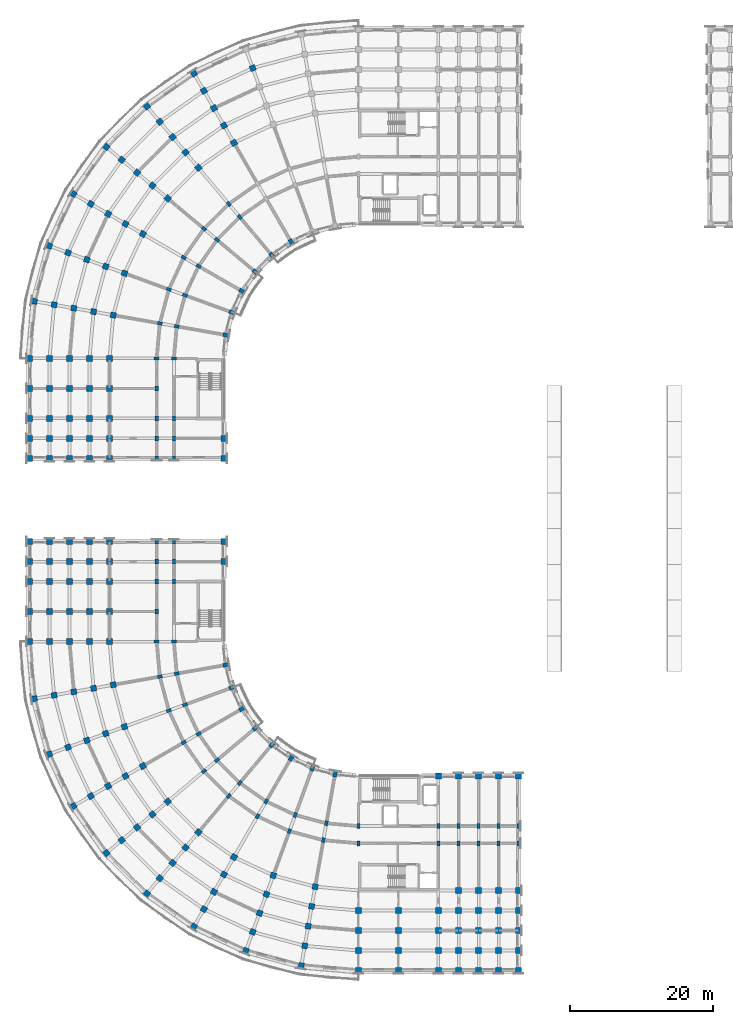
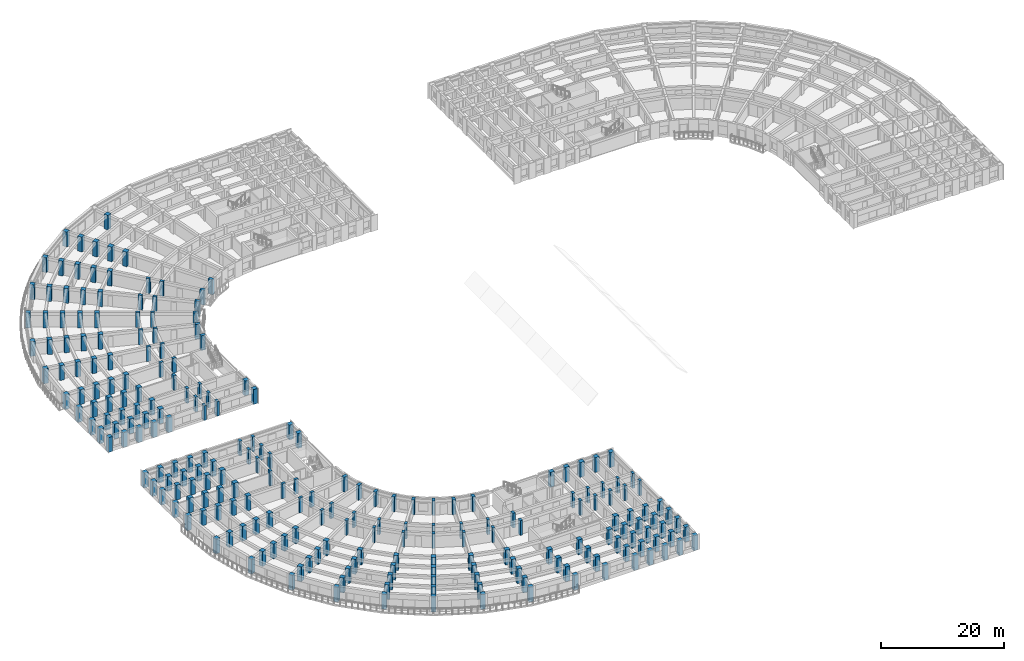
# One storey, part 1 of 54: 232 columns.
"""IFC4 building model written with IfcOpenShell, lengths in metres."""

from ifc_helpers import new_model, si_unit, direction, frame, origin, origin_2d, place, context, subcontext, project, spatial, rectangle, extrude, material, material_profile, profile_set, type_object, element, save


model = new_model("IFC4")

# Units and contexts
model_context = context("Model", 3, precision=1e-05, world=origin(), true_north=direction((0.0, 1.0)))
body_context = subcontext(model_context, "Body", "Model", "MODEL_VIEW")
ifc_project = project(units=[si_unit("LENGTHUNIT", "METRE"), si_unit("AREAUNIT", "SQUARE_METRE"), si_unit("VOLUMEUNIT", "CUBIC_METRE"), si_unit("PLANEANGLEUNIT", "RADIAN"), si_unit("MASSUNIT", "GRAM", prefix="KILO")], contexts=[model_context])

# Site, building, storey
site_placement = place(None, origin())
site = spatial("IfcSite", under=ifc_project, at=site_placement, CompositionType="ELEMENT")
building_placement = place(site_placement, origin())
building = spatial("IfcBuilding", under=site, at=building_placement, Name="Kiranvali Square Residences", CompositionType="ELEMENT")
storey_placement = place(building_placement, frame((0.0, 0.0, 11.85009765625)))
storey = spatial("IfcBuildingStorey", under=building, at=storey_placement, Name="L03", CompositionType="ELEMENT", Elevation=11.85009765625)

# Columns
ifc_material_1 = material(Name="Concrete M45 (45 MPa)", Category="concrete")
ifc_material_profile_1 = material_profile(ifc_material_1, rectangle(XDim=0.449951171875, YDim=0.699951171875, at=origin_2d()), Name="RC 700x450")
ifc_profile_set_1 = profile_set([ifc_material_profile_1], Name="Concrete M45 (45 MPa)")
column_type_1 = type_object("IfcColumnType", Name="COL-M45-700x450", PredefinedType="COLUMN", material=ifc_profile_set_1)
for number, where, z_axis, x_axis, name in (
    (1, (31.615966796875, 107.56396484375, 0.0), (0.0, 0.0, 1.0), (0.766044443119, 0.642787609687, 0.0), "Block A L03 radial column A04-R1"),
    (2, (30.073486328125, 109.40234375, 0.0), (0.0, 0.0, 1.0), (0.766044443119, 0.642787609687, 0.0), "Block A L03 radial column A04-R2"),
    (3, (28.43603515625, 104.384033203125, 0.0), (0.0, 0.0, 1.0), (0.642787609687, 0.766044443119, 0.0), "Block A L03 radial column A05-R1"),
    (4, (26.59765625, 105.926513671875, 0.0), (0.0, 0.0, 1.0), (0.642787609687, 0.766044443119, 0.0), "Block A L03 radial column A05-R2"),
    (5, (25.8564453125, 100.699951171875, 0.0), (0.0, 0.0, 1.0), (0.5, 0.866025403784, 0.0), "Block A L03 radial column A06-R1"),
    (6, (23.778076171875, 101.89990234375, 0.0), (0.0, 0.0, 1.0), (0.5, 0.866025403784, 0.0), "Block A L03 radial column A06-R2"),
    (7, (23.955810546875, 96.6240234375, 0.0), (0.0, 0.0, 1.0), (0.342020143326, 0.939692620786, 0.0), "Block A L03 radial column A07-R1"),
    (8, (21.70068359375, 97.445068359375, 0.0), (0.0, 0.0, 1.0), (0.342020143326, 0.939692620786, 0.0), "Block A L03 radial column A07-R2"),
    (9, (22.7919921875, 92.280029296875, 0.0), (0.0, 0.0, 1.0), (0.173648177667, 0.984807753012, 0.0), "Block A L03 radial column A08-R1"),
    (10, (20.428466796875, 92.69677734375, 0.0), (0.0, 0.0, 1.0), (0.173648177667, 0.984807753012, 0.0), "Block A L03 radial column A08-R2"),
    (11, (22.39990234375, 87.800048828125, 0.0), (0.0, 0.0, 1.0), (0.0, 1.0, 0.0), "Block A L03 radial column A09-R1"),
    (12, (20.0, 87.800048828125, 0.0), (0.0, 0.0, 1.0), (0.0, 1.0, 0.0), "Block A L03 radial column A09-R2"),
    (13, (20.0, 83.60009765625, 0.0), (0.0, 0.0, 1.0), (1.0, 0.0, 0.0), "Block A L03 Arm 2 mid-core column V0-R2"),
    (14, (22.39990234375, 79.39990234375, 0.0), (0.0, 0.0, 1.0), (1.0, 0.0, 0.0), "Block A L03 Arm 2 column V1-R1"),
    (15, (20.0, 79.39990234375, 0.0), (0.0, 0.0, 1.0), (1.0, 0.0, 0.0), "Block A L03 Arm 2 column V1-R2"),
    (16, (22.39990234375, 76.60009765625, 0.0), (0.0, 0.0, 1.0), (1.0, 0.0, 0.0), "Block A L03 Arm 2 column V2-R1"),
    (17, (20.0, 76.60009765625, 0.0), (0.0, 0.0, 1.0), (1.0, 0.0, 0.0), "Block A L03 Arm 2 column V2-R2"),
    (18, (22.39990234375, 73.800048828125, 0.0), (0.0, 0.0, 1.0), (1.0, 0.0, 0.0), "Block A L03 Arm 2 column V3-R1"),
    (19, (20.0, 73.800048828125, 0.0), (0.0, 0.0, 1.0), (1.0, 0.0, 0.0), "Block A L03 Arm 2 column V3-R2"),
    (20, (48.199951171875, 22.39990234375, 0.0), (0.0, 0.0, 1.0), (1.0, 0.0, 0.0), "Block C L03 radial column A00-R1"),
    (21, (48.199951171875, 20.0, 0.0), (0.0, 0.0, 1.0), (1.0, 0.0, 0.0), "Block C L03 radial column A00-R2"),
    (22, (43.719970703125, 22.7919921875, 0.0), (0.0, 0.0, 1.0), (-0.984807753012, 0.173648177667, 0.0), "Block C L03 radial column A01-R1"),
    (23, (43.30322265625, 20.428466796875, 0.0), (0.0, 0.0, 1.0), (-0.984807753012, 0.173648177667, 0.0), "Block C L03 radial column A01-R2"),
    (24, (39.3759765625, 23.955810546875, 0.0), (0.0, 0.0, 1.0), (-0.939692620786, 0.342020143326, 0.0), "Block C L03 radial column A02-R1"),
    (25, (38.554931640625, 21.70068359375, 0.0), (0.0, 0.0, 1.0), (-0.939692620786, 0.342020143326, 0.0), "Block C L03 radial column A02-R2"),
    (26, (35.300048828125, 25.8564453125, 0.0), (0.0, 0.0, 1.0), (-0.866025403784, 0.5, 0.0), "Block C L03 radial column A03-R1"),
    (27, (34.10009765625, 23.778076171875, 0.0), (0.0, 0.0, 1.0), (-0.866025403784, 0.5, 0.0), "Block C L03 radial column A03-R2"),
    (28, (31.615966796875, 28.43603515625, 0.0), (0.0, 0.0, 1.0), (-0.766044443119, 0.642787609687, 0.0), "Block C L03 radial column A04-R1"),
    (29, (30.073486328125, 26.59765625, 0.0), (0.0, 0.0, 1.0), (-0.766044443119, 0.642787609687, 0.0), "Block C L03 radial column A04-R2"),
    (30, (28.43603515625, 31.615966796875, 0.0), (0.0, 0.0, 1.0), (-0.642787609687, 0.766044443119, 0.0), "Block C L03 radial column A05-R1"),
    (31, (26.59765625, 30.073486328125, 0.0), (0.0, 0.0, 1.0), (-0.642787609687, 0.766044443119, 0.0), "Block C L03 radial column A05-R2"),
    (32, (25.8564453125, 35.300048828125, 0.0), (0.0, 0.0, 1.0), (-0.5, 0.866025403784, 0.0), "Block C L03 radial column A06-R1"),
    (33, (23.778076171875, 34.10009765625, 0.0), (0.0, 0.0, 1.0), (-0.5, 0.866025403784, 0.0), "Block C L03 radial column A06-R2"),
    (34, (23.955810546875, 39.3759765625, 0.0), (0.0, 0.0, 1.0), (-0.342020143326, 0.939692620786, 0.0), "Block C L03 radial column A07-R1"),
    (35, (21.70068359375, 38.554931640625, 0.0), (0.0, 0.0, 1.0), (-0.342020143326, 0.939692620786, 0.0), "Block C L03 radial column A07-R2"),
    (36, (22.7919921875, 43.719970703125, 0.0), (0.0, 0.0, 1.0), (-0.173648177667, 0.984807753012, 0.0), "Block C L03 radial column A08-R1"),
    (37, (20.428466796875, 43.30322265625, 0.0), (0.0, 0.0, 1.0), (-0.173648177667, 0.984807753012, 0.0), "Block C L03 radial column A08-R2"),
    (38, (22.39990234375, 48.199951171875, 0.0), (0.0, 0.0, 1.0), (0.0, 1.0, 0.0), "Block C L03 radial column A09-R1"),
    (39, (20.0, 48.199951171875, 0.0), (0.0, 0.0, 1.0), (0.0, 1.0, 0.0), "Block C L03 radial column A09-R2"),
    (40, (59.39990234375, 22.39990234375, 0.0), (0.0, 0.0, 1.0), (1.0, 0.0, 0.0), "Block C L03 Arm 1 column U1-R1"),
    (41, (59.39990234375, 20.0, 0.0), (0.0, 0.0, 1.0), (1.0, 0.0, 0.0), "Block C L03 Arm 1 column U1-R2"),
    (42, (62.199951171875, 22.39990234375, 0.0), (0.0, 0.0, 1.0), (1.0, 0.0, 0.0), "Block C L03 Arm 1 column U2-R1"),
    (43, (62.199951171875, 20.0, 0.0), (0.0, 0.0, 1.0), (1.0, 0.0, 0.0), "Block C L03 Arm 1 column U2-R2"),
    (44, (65.0, 22.39990234375, 0.0), (0.0, 0.0, 1.0), (1.0, 0.0, 0.0), "Block C L03 Arm 1 column U3-R1"),
    (45, (65.0, 20.0, 0.0), (0.0, 0.0, 1.0), (1.0, 0.0, 0.0), "Block C L03 Arm 1 column U3-R2"),
    (46, (67.800048828125, 22.39990234375, 0.0), (0.0, 0.0, 1.0), (1.0, 0.0, 0.0), "Block C L03 Arm 1 column U4-R1"),
    (47, (67.800048828125, 20.0, 0.0), (0.0, 0.0, 1.0), (1.0, 0.0, 0.0), "Block C L03 Arm 1 column U4-R2"),
    (48, (70.60009765625, 22.39990234375, 0.0), (0.0, 0.0, 1.0), (1.0, 0.0, 0.0), "Block C L03 Arm 1 column U5-R1"),
    (49, (70.60009765625, 20.0, 0.0), (0.0, 0.0, 1.0), (1.0, 0.0, 0.0), "Block C L03 Arm 1 column U5-R2"),
    (50, (20.0, 52.39990234375, 0.0), (0.0, 0.0, 1.0), (1.0, 0.0, 0.0), "Block C L03 Arm 2 mid-core column V0-R2"),
    (51, (22.39990234375, 56.60009765625, 0.0), (0.0, 0.0, 1.0), (1.0, 0.0, 0.0), "Block C L03 Arm 2 column V1-R1"),
    (52, (20.0, 56.60009765625, 0.0), (0.0, 0.0, 1.0), (1.0, 0.0, 0.0), "Block C L03 Arm 2 column V1-R2"),
    (53, (22.39990234375, 59.39990234375, 0.0), (0.0, 0.0, 1.0), (1.0, 0.0, 0.0), "Block C L03 Arm 2 column V2-R1"),
    (54, (20.0, 59.39990234375, 0.0), (0.0, 0.0, 1.0), (1.0, 0.0, 0.0), "Block C L03 Arm 2 column V2-R2"),
    (55, (22.39990234375, 62.199951171875, 0.0), (0.0, 0.0, 1.0), (1.0, 0.0, 0.0), "Block C L03 Arm 2 column V3-R1"),
    (56, (20.0, 62.199951171875, 0.0), (0.0, 0.0, 1.0), (1.0, 0.0, 0.0), "Block C L03 Arm 2 column V3-R2"),
):
    element("IfcColumn", number, at=place(storey_placement, frame(where, z_axis=z_axis, x_axis=x_axis)), inside=storey, type_object=column_type_1, Name=name, PredefinedType="COLUMN", context=body_context, shape_type="SweptSolid", body=[
        extrude(rectangle(XDim=0.449951171875, YDim=0.699951171875, at=origin_2d()), origin(), (0.0, 0.0, 1.0), 2.929931640625),
    ])
ifc_material_2 = material(Name="Concrete M50 (50 MPa)", Category="concrete")
ifc_material_profile_2 = material_profile(ifc_material_2, rectangle(XDim=0.800048828125, YDim=0.800048828125, at=origin_2d()), Name="RC 800x800")
ifc_profile_set_2 = profile_set([ifc_material_profile_2], Name="Concrete M50 (50 MPa)")
column_type_2 = type_object("IfcColumnType", Name="COL-M50-800", PredefinedType="COLUMN", material=ifc_profile_set_2)
for number, where, z_axis, x_axis, name in (
    (57, (33.4248046875, 128.394775390625, 0.0), (0.0, 0.0, 1.0), (0.939692620786, 0.342020143326, 0.0), "Block A L03 radial column A02-R6"),
    (58, (30.800048828125, 117.937744140625, 0.0), (0.0, 0.0, 1.0), (0.866025403784, 0.5, 0.0), "Block A L03 radial column A03-R3"),
    (59, (29.39990234375, 120.362548828125, 0.0), (0.0, 0.0, 1.0), (0.866025403784, 0.5, 0.0), "Block A L03 radial column A03-R4"),
    (60, (28.0, 122.787353515625, 0.0), (0.0, 0.0, 1.0), (0.866025403784, 0.5, 0.0), "Block A L03 radial column A03-R5"),
    (61, (26.60009765625, 125.21240234375, 0.0), (0.0, 0.0, 1.0), (0.866025403784, 0.5, 0.0), "Block A L03 radial column A03-R6"),
    (62, (25.199951171875, 127.63720703125, 0.0), (0.0, 0.0, 1.0), (0.866025403784, 0.5, 0.0), "Block A L03 radial column A03-R7"),
    (63, (25.8310546875, 114.458251953125, 0.0), (0.0, 0.0, 1.0), (0.766044443119, 0.642787609687, 0.0), "Block A L03 radial column A04-R3"),
    (64, (24.03125, 116.603271484375, 0.0), (0.0, 0.0, 1.0), (0.766044443119, 0.642787609687, 0.0), "Block A L03 radial column A04-R4"),
    (65, (22.2314453125, 118.748291015625, 0.0), (0.0, 0.0, 1.0), (0.766044443119, 0.642787609687, 0.0), "Block A L03 radial column A04-R5"),
    (66, (20.431640625, 120.89306640625, 0.0), (0.0, 0.0, 1.0), (0.766044443119, 0.642787609687, 0.0), "Block A L03 radial column A04-R6"),
    (67, (18.6318359375, 123.0380859375, 0.0), (0.0, 0.0, 1.0), (0.766044443119, 0.642787609687, 0.0), "Block A L03 radial column A04-R7"),
    (68, (21.541748046875, 110.1689453125, 0.0), (0.0, 0.0, 1.0), (0.642787609687, 0.766044443119, 0.0), "Block A L03 radial column A05-R3"),
    (69, (19.396728515625, 111.96875, 0.0), (0.0, 0.0, 1.0), (0.642787609687, 0.766044443119, 0.0), "Block A L03 radial column A05-R4"),
    (70, (17.251708984375, 113.7685546875, 0.0), (0.0, 0.0, 1.0), (0.642787609687, 0.766044443119, 0.0), "Block A L03 radial column A05-R5"),
    (71, (15.10693359375, 115.568359375, 0.0), (0.0, 0.0, 1.0), (0.642787609687, 0.766044443119, 0.0), "Block A L03 radial column A05-R6"),
    (72, (12.9619140625, 117.3681640625, 0.0), (0.0, 0.0, 1.0), (0.642787609687, 0.766044443119, 0.0), "Block A L03 radial column A05-R7"),
    (73, (18.062255859375, 105.199951171875, 0.0), (0.0, 0.0, 1.0), (0.5, 0.866025403784, 0.0), "Block A L03 radial column A06-R3"),
    (74, (15.637451171875, 106.60009765625, 0.0), (0.0, 0.0, 1.0), (0.5, 0.866025403784, 0.0), "Block A L03 radial column A06-R4"),
    (75, (13.212646484375, 108.0, 0.0), (0.0, 0.0, 1.0), (0.5, 0.866025403784, 0.0), "Block A L03 radial column A06-R5"),
    (76, (10.78759765625, 109.39990234375, 0.0), (0.0, 0.0, 1.0), (0.5, 0.866025403784, 0.0), "Block A L03 radial column A06-R6"),
    (77, (8.36279296875, 110.800048828125, 0.0), (0.0, 0.0, 1.0), (0.5, 0.866025403784, 0.0), "Block A L03 radial column A06-R7"),
    (78, (15.498779296875, 99.702392578125, 0.0), (0.0, 0.0, 1.0), (0.342020143326, 0.939692620786, 0.0), "Block A L03 radial column A07-R3"),
    (79, (12.86767578125, 100.659912109375, 0.0), (0.0, 0.0, 1.0), (0.342020143326, 0.939692620786, 0.0), "Block A L03 radial column A07-R4"),
    (80, (10.236328125, 101.61767578125, 0.0), (0.0, 0.0, 1.0), (0.342020143326, 0.939692620786, 0.0), "Block A L03 radial column A07-R5"),
    (81, (7.605224609375, 102.5751953125, 0.0), (0.0, 0.0, 1.0), (0.342020143326, 0.939692620786, 0.0), "Block A L03 radial column A07-R6"),
    (82, (4.97412109375, 103.532958984375, 0.0), (0.0, 0.0, 1.0), (0.342020143326, 0.939692620786, 0.0), "Block A L03 radial column A07-R7"),
    (83, (13.9287109375, 93.843017578125, 0.0), (0.0, 0.0, 1.0), (0.173648177667, 0.984807753012, 0.0), "Block A L03 radial column A08-R3"),
    (84, (11.171142578125, 94.3291015625, 0.0), (0.0, 0.0, 1.0), (0.173648177667, 0.984807753012, 0.0), "Block A L03 radial column A08-R4"),
    (85, (8.413818359375, 94.8154296875, 0.0), (0.0, 0.0, 1.0), (0.173648177667, 0.984807753012, 0.0), "Block A L03 radial column A08-R5"),
    (86, (5.65625, 95.301513671875, 0.0), (0.0, 0.0, 1.0), (0.173648177667, 0.984807753012, 0.0), "Block A L03 radial column A08-R6"),
    (87, (2.89892578125, 95.787841796875, 0.0), (0.0, 0.0, 1.0), (0.173648177667, 0.984807753012, 0.0), "Block A L03 radial column A08-R7"),
    (88, (13.39990234375, 87.800048828125, 0.0), (0.0, 0.0, 1.0), (0.0, 1.0, 0.0), "Block A L03 radial column A09-R3"),
    (89, (10.60009765625, 87.800048828125, 0.0), (0.0, 0.0, 1.0), (0.0, 1.0, 0.0), "Block A L03 radial column A09-R4"),
    (90, (7.800048828125, 87.800048828125, 0.0), (0.0, 0.0, 1.0), (0.0, 1.0, 0.0), "Block A L03 radial column A09-R5"),
    (91, (5.0, 87.800048828125, 0.0), (0.0, 0.0, 1.0), (0.0, 1.0, 0.0), "Block A L03 radial column A09-R6"),
    (92, (2.199951171875, 87.800048828125, 0.0), (0.0, 0.0, 1.0), (0.0, 1.0, 0.0), "Block A L03 radial column A09-R7"),
    (93, (13.39990234375, 83.60009765625, 0.0), (0.0, 0.0, 1.0), (1.0, 0.0, 0.0), "Block A L03 Arm 2 mid-core column V0-R3"),
    (94, (10.60009765625, 83.60009765625, 0.0), (0.0, 0.0, 1.0), (1.0, 0.0, 0.0), "Block A L03 Arm 2 mid-core column V0-R4"),
    (95, (7.800048828125, 83.60009765625, 0.0), (0.0, 0.0, 1.0), (1.0, 0.0, 0.0), "Block A L03 Arm 2 mid-core column V0-R5"),
    (96, (5.0, 83.60009765625, 0.0), (0.0, 0.0, 1.0), (1.0, 0.0, 0.0), "Block A L03 Arm 2 mid-core column V0-R6"),
    (97, (2.199951171875, 83.60009765625, 0.0), (0.0, 0.0, 1.0), (1.0, 0.0, 0.0), "Block A L03 Arm 2 mid-core column V0-R7"),
    (98, (13.39990234375, 79.39990234375, 0.0), (0.0, 0.0, 1.0), (1.0, 0.0, 0.0), "Block A L03 Arm 2 column V1-R3"),
    (99, (10.60009765625, 79.39990234375, 0.0), (0.0, 0.0, 1.0), (1.0, 0.0, 0.0), "Block A L03 Arm 2 column V1-R4"),
    (100, (7.800048828125, 79.39990234375, 0.0), (0.0, 0.0, 1.0), (1.0, 0.0, 0.0), "Block A L03 Arm 2 column V1-R5"),
    (101, (5.0, 79.39990234375, 0.0), (0.0, 0.0, 1.0), (1.0, 0.0, 0.0), "Block A L03 Arm 2 column V1-R6"),
    (102, (2.199951171875, 79.39990234375, 0.0), (0.0, 0.0, 1.0), (1.0, 0.0, 0.0), "Block A L03 Arm 2 column V1-R7"),
    (103, (29.39990234375, 76.60009765625, 0.0), (0.0, 0.0, 1.0), (1.0, 0.0, 0.0), "Block A L03 Arm 2 column V2-R0"),
    (104, (13.39990234375, 76.60009765625, 0.0), (0.0, 0.0, 1.0), (1.0, 0.0, 0.0), "Block A L03 Arm 2 column V2-R3"),
    (105, (10.60009765625, 76.60009765625, 0.0), (0.0, 0.0, 1.0), (1.0, 0.0, 0.0), "Block A L03 Arm 2 column V2-R4"),
    (106, (7.800048828125, 76.60009765625, 0.0), (0.0, 0.0, 1.0), (1.0, 0.0, 0.0), "Block A L03 Arm 2 column V2-R5"),
    (107, (5.0, 76.60009765625, 0.0), (0.0, 0.0, 1.0), (1.0, 0.0, 0.0), "Block A L03 Arm 2 column V2-R6"),
    (108, (2.199951171875, 76.60009765625, 0.0), (0.0, 0.0, 1.0), (1.0, 0.0, 0.0), "Block A L03 Arm 2 column V2-R7"),
    (109, (29.39990234375, 73.800048828125, 0.0), (0.0, 0.0, 1.0), (1.0, 0.0, 0.0), "Block A L03 Arm 2 column V3-R0"),
    (110, (13.39990234375, 73.800048828125, 0.0), (0.0, 0.0, 1.0), (1.0, 0.0, 0.0), "Block A L03 Arm 2 column V3-R3"),
    (111, (10.60009765625, 73.800048828125, 0.0), (0.0, 0.0, 1.0), (1.0, 0.0, 0.0), "Block A L03 Arm 2 column V3-R4"),
    (112, (7.800048828125, 73.800048828125, 0.0), (0.0, 0.0, 1.0), (1.0, 0.0, 0.0), "Block A L03 Arm 2 column V3-R5"),
    (113, (5.0, 73.800048828125, 0.0), (0.0, 0.0, 1.0), (1.0, 0.0, 0.0), "Block A L03 Arm 2 column V3-R6"),
    (114, (2.199951171875, 73.800048828125, 0.0), (0.0, 0.0, 1.0), (1.0, 0.0, 0.0), "Block A L03 Arm 2 column V3-R7"),
    (115, (48.199951171875, 10.60009765625, 0.0), (0.0, 0.0, 1.0), (1.0, 0.0, 0.0), "Block C L03 radial column A00-R4"),
    (116, (48.199951171875, 7.800048828125, 0.0), (0.0, 0.0, 1.0), (1.0, 0.0, 0.0), "Block C L03 radial column A00-R5"),
    (117, (48.199951171875, 5.0, 0.0), (0.0, 0.0, 1.0), (1.0, 0.0, 0.0), "Block C L03 radial column A00-R6"),
    (118, (48.199951171875, 2.199951171875, 0.0), (0.0, 0.0, 1.0), (1.0, 0.0, 0.0), "Block C L03 radial column A00-R7"),
    (119, (42.156982421875, 13.9287109375, 0.0), (0.0, 0.0, 1.0), (-0.984807753012, 0.173648177667, 0.0), "Block C L03 radial column A01-R3"),
    (120, (41.6708984375, 11.171142578125, 0.0), (0.0, 0.0, 1.0), (-0.984807753012, 0.173648177667, 0.0), "Block C L03 radial column A01-R4"),
    (121, (41.1845703125, 8.413818359375, 0.0), (0.0, 0.0, 1.0), (-0.984807753012, 0.173648177667, 0.0), "Block C L03 radial column A01-R5"),
    (122, (40.698486328125, 5.65625, 0.0), (0.0, 0.0, 1.0), (-0.984807753012, 0.173648177667, 0.0), "Block C L03 radial column A01-R6"),
    (123, (40.212158203125, 2.89892578125, 0.0), (0.0, 0.0, 1.0), (-0.984807753012, 0.173648177667, 0.0), "Block C L03 radial column A01-R7"),
    (124, (36.297607421875, 15.498779296875, 0.0), (0.0, 0.0, 1.0), (-0.939692620786, 0.342020143326, 0.0), "Block C L03 radial column A02-R3"),
    (125, (35.340087890625, 12.86767578125, 0.0), (0.0, 0.0, 1.0), (-0.939692620786, 0.342020143326, 0.0), "Block C L03 radial column A02-R4"),
    (126, (34.38232421875, 10.236328125, 0.0), (0.0, 0.0, 1.0), (-0.939692620786, 0.342020143326, 0.0), "Block C L03 radial column A02-R5"),
    (127, (33.4248046875, 7.605224609375, 0.0), (0.0, 0.0, 1.0), (-0.939692620786, 0.342020143326, 0.0), "Block C L03 radial column A02-R6"),
    (128, (32.467041015625, 4.97412109375, 0.0), (0.0, 0.0, 1.0), (-0.939692620786, 0.342020143326, 0.0), "Block C L03 radial column A02-R7"),
    (129, (30.800048828125, 18.062255859375, 0.0), (0.0, 0.0, 1.0), (-0.866025403784, 0.5, 0.0), "Block C L03 radial column A03-R3"),
    (130, (29.39990234375, 15.637451171875, 0.0), (0.0, 0.0, 1.0), (-0.866025403784, 0.5, 0.0), "Block C L03 radial column A03-R4"),
    (131, (28.0, 13.212646484375, 0.0), (0.0, 0.0, 1.0), (-0.866025403784, 0.5, 0.0), "Block C L03 radial column A03-R5"),
    (132, (26.60009765625, 10.78759765625, 0.0), (0.0, 0.0, 1.0), (-0.866025403784, 0.5, 0.0), "Block C L03 radial column A03-R6"),
    (133, (25.199951171875, 8.36279296875, 0.0), (0.0, 0.0, 1.0), (-0.866025403784, 0.5, 0.0), "Block C L03 radial column A03-R7"),
    (134, (25.8310546875, 21.541748046875, 0.0), (0.0, 0.0, 1.0), (-0.766044443119, 0.642787609687, 0.0), "Block C L03 radial column A04-R3"),
    (135, (24.03125, 19.396728515625, 0.0), (0.0, 0.0, 1.0), (-0.766044443119, 0.642787609687, 0.0), "Block C L03 radial column A04-R4"),
    (136, (22.2314453125, 17.251708984375, 0.0), (0.0, 0.0, 1.0), (-0.766044443119, 0.642787609687, 0.0), "Block C L03 radial column A04-R5"),
    (137, (20.431640625, 15.10693359375, 0.0), (0.0, 0.0, 1.0), (-0.766044443119, 0.642787609687, 0.0), "Block C L03 radial column A04-R6"),
    (138, (18.6318359375, 12.9619140625, 0.0), (0.0, 0.0, 1.0), (-0.766044443119, 0.642787609687, 0.0), "Block C L03 radial column A04-R7"),
    (139, (21.541748046875, 25.8310546875, 0.0), (0.0, 0.0, 1.0), (-0.642787609687, 0.766044443119, 0.0), "Block C L03 radial column A05-R3"),
    (140, (19.396728515625, 24.03125, 0.0), (0.0, 0.0, 1.0), (-0.642787609687, 0.766044443119, 0.0), "Block C L03 radial column A05-R4"),
    (141, (17.251708984375, 22.2314453125, 0.0), (0.0, 0.0, 1.0), (-0.642787609687, 0.766044443119, 0.0), "Block C L03 radial column A05-R5"),
    (142, (15.10693359375, 20.431640625, 0.0), (0.0, 0.0, 1.0), (-0.642787609687, 0.766044443119, 0.0), "Block C L03 radial column A05-R6"),
    (143, (12.9619140625, 18.6318359375, 0.0), (0.0, 0.0, 1.0), (-0.642787609687, 0.766044443119, 0.0), "Block C L03 radial column A05-R7"),
    (144, (18.062255859375, 30.800048828125, 0.0), (0.0, 0.0, 1.0), (-0.5, 0.866025403784, 0.0), "Block C L03 radial column A06-R3"),
    (145, (15.637451171875, 29.39990234375, 0.0), (0.0, 0.0, 1.0), (-0.5, 0.866025403784, 0.0), "Block C L03 radial column A06-R4"),
    (146, (13.212646484375, 28.0, 0.0), (0.0, 0.0, 1.0), (-0.5, 0.866025403784, 0.0), "Block C L03 radial column A06-R5"),
    (147, (10.78759765625, 26.60009765625, 0.0), (0.0, 0.0, 1.0), (-0.5, 0.866025403784, 0.0), "Block C L03 radial column A06-R6"),
    (148, (8.36279296875, 25.199951171875, 0.0), (0.0, 0.0, 1.0), (-0.5, 0.866025403784, 0.0), "Block C L03 radial column A06-R7"),
    (149, (15.498779296875, 36.297607421875, 0.0), (0.0, 0.0, 1.0), (-0.342020143326, 0.939692620786, 0.0), "Block C L03 radial column A07-R3"),
    (150, (12.86767578125, 35.340087890625, 0.0), (0.0, 0.0, 1.0), (-0.342020143326, 0.939692620786, 0.0), "Block C L03 radial column A07-R4"),
    (151, (10.236328125, 34.38232421875, 0.0), (0.0, 0.0, 1.0), (-0.342020143326, 0.939692620786, 0.0), "Block C L03 radial column A07-R5"),
    (152, (7.605224609375, 33.4248046875, 0.0), (0.0, 0.0, 1.0), (-0.342020143326, 0.939692620786, 0.0), "Block C L03 radial column A07-R6"),
    (153, (4.97412109375, 32.467041015625, 0.0), (0.0, 0.0, 1.0), (-0.342020143326, 0.939692620786, 0.0), "Block C L03 radial column A07-R7"),
    (154, (13.9287109375, 42.156982421875, 0.0), (0.0, 0.0, 1.0), (-0.173648177667, 0.984807753012, 0.0), "Block C L03 radial column A08-R3"),
    (155, (11.171142578125, 41.6708984375, 0.0), (0.0, 0.0, 1.0), (-0.173648177667, 0.984807753012, 0.0), "Block C L03 radial column A08-R4"),
    (156, (8.413818359375, 41.1845703125, 0.0), (0.0, 0.0, 1.0), (-0.173648177667, 0.984807753012, 0.0), "Block C L03 radial column A08-R5"),
    (157, (5.65625, 40.698486328125, 0.0), (0.0, 0.0, 1.0), (-0.173648177667, 0.984807753012, 0.0), "Block C L03 radial column A08-R6"),
    (158, (2.89892578125, 40.212158203125, 0.0), (0.0, 0.0, 1.0), (-0.173648177667, 0.984807753012, 0.0), "Block C L03 radial column A08-R7"),
    (159, (13.39990234375, 48.199951171875, 0.0), (0.0, 0.0, 1.0), (0.0, 1.0, 0.0), "Block C L03 radial column A09-R3"),
    (160, (10.60009765625, 48.199951171875, 0.0), (0.0, 0.0, 1.0), (0.0, 1.0, 0.0), "Block C L03 radial column A09-R4"),
    (161, (7.800048828125, 48.199951171875, 0.0), (0.0, 0.0, 1.0), (0.0, 1.0, 0.0), "Block C L03 radial column A09-R5"),
    (162, (5.0, 48.199951171875, 0.0), (0.0, 0.0, 1.0), (0.0, 1.0, 0.0), "Block C L03 radial column A09-R6"),
    (163, (2.199951171875, 48.199951171875, 0.0), (0.0, 0.0, 1.0), (0.0, 1.0, 0.0), "Block C L03 radial column A09-R7"),
    (164, (53.800048828125, 10.60009765625, 0.0), (0.0, 0.0, 1.0), (1.0, 0.0, 0.0), "Block C L03 core-front column U0-R4"),
    (165, (53.800048828125, 7.800048828125, 0.0), (0.0, 0.0, 1.0), (1.0, 0.0, 0.0), "Block C L03 core-front column U0-R5"),
    (166, (53.800048828125, 5.0, 0.0), (0.0, 0.0, 1.0), (1.0, 0.0, 0.0), "Block C L03 core-front column U0-R6"),
    (167, (53.800048828125, 2.199951171875, 0.0), (0.0, 0.0, 1.0), (1.0, 0.0, 0.0), "Block C L03 core-front column U0-R7"),
    (168, (59.39990234375, 29.39990234375, 0.0), (0.0, 0.0, 1.0), (1.0, 0.0, 0.0), "Block C L03 Arm 1 column U1-R0"),
    (169, (59.39990234375, 10.60009765625, 0.0), (0.0, 0.0, 1.0), (1.0, 0.0, 0.0), "Block C L03 Arm 1 column U1-R4"),
    (170, (59.39990234375, 7.800048828125, 0.0), (0.0, 0.0, 1.0), (1.0, 0.0, 0.0), "Block C L03 Arm 1 column U1-R5"),
    (171, (59.39990234375, 5.0, 0.0), (0.0, 0.0, 1.0), (1.0, 0.0, 0.0), "Block C L03 Arm 1 column U1-R6"),
    (172, (59.39990234375, 2.199951171875, 0.0), (0.0, 0.0, 1.0), (1.0, 0.0, 0.0), "Block C L03 Arm 1 column U1-R7"),
    (173, (62.199951171875, 29.39990234375, 0.0), (0.0, 0.0, 1.0), (1.0, 0.0, 0.0), "Block C L03 Arm 1 column U2-R0"),
    (174, (62.199951171875, 13.39990234375, 0.0), (0.0, 0.0, 1.0), (1.0, 0.0, 0.0), "Block C L03 Arm 1 column U2-R3"),
    (175, (62.199951171875, 10.60009765625, 0.0), (0.0, 0.0, 1.0), (1.0, 0.0, 0.0), "Block C L03 Arm 1 column U2-R4"),
    (176, (62.199951171875, 7.800048828125, 0.0), (0.0, 0.0, 1.0), (1.0, 0.0, 0.0), "Block C L03 Arm 1 column U2-R5"),
    (177, (62.199951171875, 5.0, 0.0), (0.0, 0.0, 1.0), (1.0, 0.0, 0.0), "Block C L03 Arm 1 column U2-R6"),
    (178, (62.199951171875, 2.199951171875, 0.0), (0.0, 0.0, 1.0), (1.0, 0.0, 0.0), "Block C L03 Arm 1 column U2-R7"),
    (179, (65.0, 29.39990234375, 0.0), (0.0, 0.0, 1.0), (1.0, 0.0, 0.0), "Block C L03 Arm 1 column U3-R0"),
    (180, (65.0, 13.39990234375, 0.0), (0.0, 0.0, 1.0), (1.0, 0.0, 0.0), "Block C L03 Arm 1 column U3-R3"),
    (181, (65.0, 10.60009765625, 0.0), (0.0, 0.0, 1.0), (1.0, 0.0, 0.0), "Block C L03 Arm 1 column U3-R4"),
    (182, (65.0, 7.800048828125, 0.0), (0.0, 0.0, 1.0), (1.0, 0.0, 0.0), "Block C L03 Arm 1 column U3-R5"),
    (183, (65.0, 5.0, 0.0), (0.0, 0.0, 1.0), (1.0, 0.0, 0.0), "Block C L03 Arm 1 column U3-R6"),
    (184, (65.0, 2.199951171875, 0.0), (0.0, 0.0, 1.0), (1.0, 0.0, 0.0), "Block C L03 Arm 1 column U3-R7"),
    (185, (67.800048828125, 29.39990234375, 0.0), (0.0, 0.0, 1.0), (1.0, 0.0, 0.0), "Block C L03 Arm 1 column U4-R0"),
    (186, (67.800048828125, 13.39990234375, 0.0), (0.0, 0.0, 1.0), (1.0, 0.0, 0.0), "Block C L03 Arm 1 column U4-R3"),
    (187, (67.800048828125, 10.60009765625, 0.0), (0.0, 0.0, 1.0), (1.0, 0.0, 0.0), "Block C L03 Arm 1 column U4-R4"),
    (188, (67.800048828125, 7.800048828125, 0.0), (0.0, 0.0, 1.0), (1.0, 0.0, 0.0), "Block C L03 Arm 1 column U4-R5"),
    (189, (67.800048828125, 5.0, 0.0), (0.0, 0.0, 1.0), (1.0, 0.0, 0.0), "Block C L03 Arm 1 column U4-R6"),
    (190, (67.800048828125, 2.199951171875, 0.0), (0.0, 0.0, 1.0), (1.0, 0.0, 0.0), "Block C L03 Arm 1 column U4-R7"),
    (191, (70.60009765625, 29.39990234375, 0.0), (0.0, 0.0, 1.0), (1.0, 0.0, 0.0), "Block C L03 Arm 1 column U5-R0"),
    (192, (70.60009765625, 13.39990234375, 0.0), (0.0, 0.0, 1.0), (1.0, 0.0, 0.0), "Block C L03 Arm 1 column U5-R3"),
    (193, (70.60009765625, 10.60009765625, 0.0), (0.0, 0.0, 1.0), (1.0, 0.0, 0.0), "Block C L03 Arm 1 column U5-R4"),
    (194, (70.60009765625, 7.800048828125, 0.0), (0.0, 0.0, 1.0), (1.0, 0.0, 0.0), "Block C L03 Arm 1 column U5-R5"),
    (195, (70.60009765625, 5.0, 0.0), (0.0, 0.0, 1.0), (1.0, 0.0, 0.0), "Block C L03 Arm 1 column U5-R6"),
    (196, (70.60009765625, 2.199951171875, 0.0), (0.0, 0.0, 1.0), (1.0, 0.0, 0.0), "Block C L03 Arm 1 column U5-R7"),
    (197, (13.39990234375, 52.39990234375, 0.0), (0.0, 0.0, 1.0), (1.0, 0.0, 0.0), "Block C L03 Arm 2 mid-core column V0-R3"),
    (198, (10.60009765625, 52.39990234375, 0.0), (0.0, 0.0, 1.0), (1.0, 0.0, 0.0), "Block C L03 Arm 2 mid-core column V0-R4"),
    (199, (7.800048828125, 52.39990234375, 0.0), (0.0, 0.0, 1.0), (1.0, 0.0, 0.0), "Block C L03 Arm 2 mid-core column V0-R5"),
    (200, (5.0, 52.39990234375, 0.0), (0.0, 0.0, 1.0), (1.0, 0.0, 0.0), "Block C L03 Arm 2 mid-core column V0-R6"),
    (201, (2.199951171875, 52.39990234375, 0.0), (0.0, 0.0, 1.0), (1.0, 0.0, 0.0), "Block C L03 Arm 2 mid-core column V0-R7"),
    (202, (13.39990234375, 56.60009765625, 0.0), (0.0, 0.0, 1.0), (1.0, 0.0, 0.0), "Block C L03 Arm 2 column V1-R3"),
    (203, (10.60009765625, 56.60009765625, 0.0), (0.0, 0.0, 1.0), (1.0, 0.0, 0.0), "Block C L03 Arm 2 column V1-R4"),
    (204, (7.800048828125, 56.60009765625, 0.0), (0.0, 0.0, 1.0), (1.0, 0.0, 0.0), "Block C L03 Arm 2 column V1-R5"),
    (205, (5.0, 56.60009765625, 0.0), (0.0, 0.0, 1.0), (1.0, 0.0, 0.0), "Block C L03 Arm 2 column V1-R6"),
    (206, (2.199951171875, 56.60009765625, 0.0), (0.0, 0.0, 1.0), (1.0, 0.0, 0.0), "Block C L03 Arm 2 column V1-R7"),
    (207, (29.39990234375, 59.39990234375, 0.0), (0.0, 0.0, 1.0), (1.0, 0.0, 0.0), "Block C L03 Arm 2 column V2-R0"),
    (208, (13.39990234375, 59.39990234375, 0.0), (0.0, 0.0, 1.0), (1.0, 0.0, 0.0), "Block C L03 Arm 2 column V2-R3"),
    (209, (10.60009765625, 59.39990234375, 0.0), (0.0, 0.0, 1.0), (1.0, 0.0, 0.0), "Block C L03 Arm 2 column V2-R4"),
    (210, (7.800048828125, 59.39990234375, 0.0), (0.0, 0.0, 1.0), (1.0, 0.0, 0.0), "Block C L03 Arm 2 column V2-R5"),
    (211, (5.0, 59.39990234375, 0.0), (0.0, 0.0, 1.0), (1.0, 0.0, 0.0), "Block C L03 Arm 2 column V2-R6"),
    (212, (2.199951171875, 59.39990234375, 0.0), (0.0, 0.0, 1.0), (1.0, 0.0, 0.0), "Block C L03 Arm 2 column V2-R7"),
    (213, (29.39990234375, 62.199951171875, 0.0), (0.0, 0.0, 1.0), (1.0, 0.0, 0.0), "Block C L03 Arm 2 column V3-R0"),
    (214, (13.39990234375, 62.199951171875, 0.0), (0.0, 0.0, 1.0), (1.0, 0.0, 0.0), "Block C L03 Arm 2 column V3-R3"),
    (215, (10.60009765625, 62.199951171875, 0.0), (0.0, 0.0, 1.0), (1.0, 0.0, 0.0), "Block C L03 Arm 2 column V3-R4"),
    (216, (7.800048828125, 62.199951171875, 0.0), (0.0, 0.0, 1.0), (1.0, 0.0, 0.0), "Block C L03 Arm 2 column V3-R5"),
    (217, (5.0, 62.199951171875, 0.0), (0.0, 0.0, 1.0), (1.0, 0.0, 0.0), "Block C L03 Arm 2 column V3-R6"),
    (218, (2.199951171875, 62.199951171875, 0.0), (0.0, 0.0, 1.0), (1.0, 0.0, 0.0), "Block C L03 Arm 2 column V3-R7"),
):
    element("IfcColumn", number, at=place(storey_placement, frame(where, z_axis=z_axis, x_axis=x_axis)), inside=storey, type_object=column_type_2, Name=name, PredefinedType="COLUMN", context=body_context, shape_type="SweptSolid", body=[
        extrude(rectangle(XDim=0.800048828125, YDim=0.800048828125, at=origin_2d()), origin(), (0.0, 0.0, 1.0), 2.929931640625),
    ])
ifc_material_profile_3 = material_profile(ifc_material_2, rectangle(XDim=0.550048828125, YDim=0.85009765625, at=origin_2d()), Name="RC 850x550")
ifc_profile_set_3 = profile_set([ifc_material_profile_3], Name="Concrete M50 (50 MPa)")
column_type_3 = type_object("IfcColumnType", Name="COL-M50-850x550", PredefinedType="COLUMN", material=ifc_profile_set_3)
for number, where, z_axis, x_axis, name in (
    (219, (38.800048828125, 104.081298828125, 0.0), (0.0, 0.0, 1.0), (0.866025403784, 0.5, 0.0), "Block A L03 radial column A03-R0"),
    (220, (36.115478515625, 102.20166015625, 0.0), (0.0, 0.0, 1.0), (0.766044443119, 0.642787609687, 0.0), "Block A L03 radial column A04-R0"),
    (221, (33.79833984375, 99.884521484375, 0.0), (0.0, 0.0, 1.0), (0.642787609687, 0.766044443119, 0.0), "Block A L03 radial column A05-R0"),
    (222, (31.918701171875, 97.199951171875, 0.0), (0.0, 0.0, 1.0), (0.5, 0.866025403784, 0.0), "Block A L03 radial column A06-R0"),
    (223, (30.53369140625, 94.22998046875, 0.0), (0.0, 0.0, 1.0), (0.342020143326, 0.939692620786, 0.0), "Block A L03 radial column A07-R0"),
    (224, (29.685546875, 91.064697265625, 0.0), (0.0, 0.0, 1.0), (0.173648177667, 0.984807753012, 0.0), "Block A L03 radial column A08-R0"),
    (225, (44.935302734375, 29.685546875, 0.0), (0.0, 0.0, 1.0), (-0.984807753012, 0.173648177667, 0.0), "Block C L03 radial column A01-R0"),
    (226, (41.77001953125, 30.53369140625, 0.0), (0.0, 0.0, 1.0), (-0.939692620786, 0.342020143326, 0.0), "Block C L03 radial column A02-R0"),
    (227, (38.800048828125, 31.918701171875, 0.0), (0.0, 0.0, 1.0), (-0.866025403784, 0.5, 0.0), "Block C L03 radial column A03-R0"),
    (228, (36.115478515625, 33.79833984375, 0.0), (0.0, 0.0, 1.0), (-0.766044443119, 0.642787609687, 0.0), "Block C L03 radial column A04-R0"),
    (229, (33.79833984375, 36.115478515625, 0.0), (0.0, 0.0, 1.0), (-0.642787609687, 0.766044443119, 0.0), "Block C L03 radial column A05-R0"),
    (230, (31.918701171875, 38.800048828125, 0.0), (0.0, 0.0, 1.0), (-0.5, 0.866025403784, 0.0), "Block C L03 radial column A06-R0"),
    (231, (30.53369140625, 41.77001953125, 0.0), (0.0, 0.0, 1.0), (-0.342020143326, 0.939692620786, 0.0), "Block C L03 radial column A07-R0"),
    (232, (29.685546875, 44.935302734375, 0.0), (0.0, 0.0, 1.0), (-0.173648177667, 0.984807753012, 0.0), "Block C L03 radial column A08-R0"),
):
    element("IfcColumn", number, at=place(storey_placement, frame(where, z_axis=z_axis, x_axis=x_axis)), inside=storey, type_object=column_type_3, Name=name, PredefinedType="COLUMN", context=body_context, shape_type="SweptSolid", body=[
        extrude(rectangle(XDim=0.550048828125, YDim=0.85009765625, at=origin_2d()), origin(), (0.0, 0.0, 1.0), 2.929931640625),
    ])

save(model, "model.ifc")
